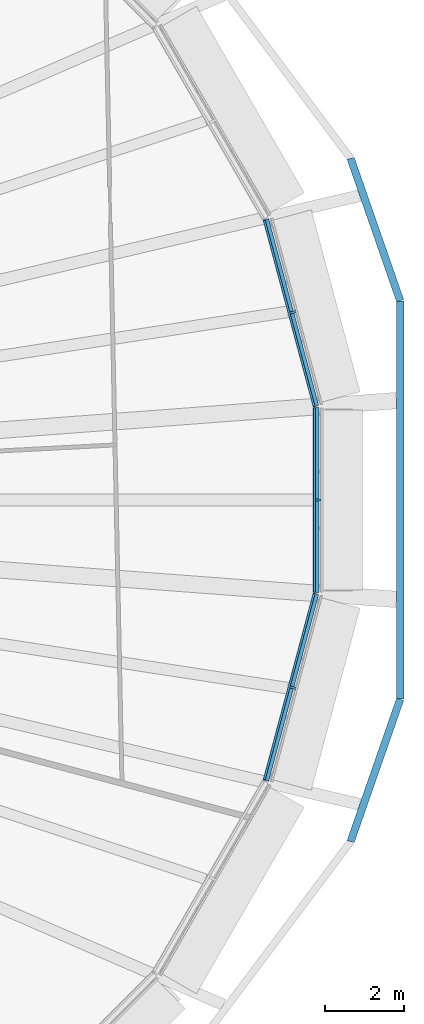
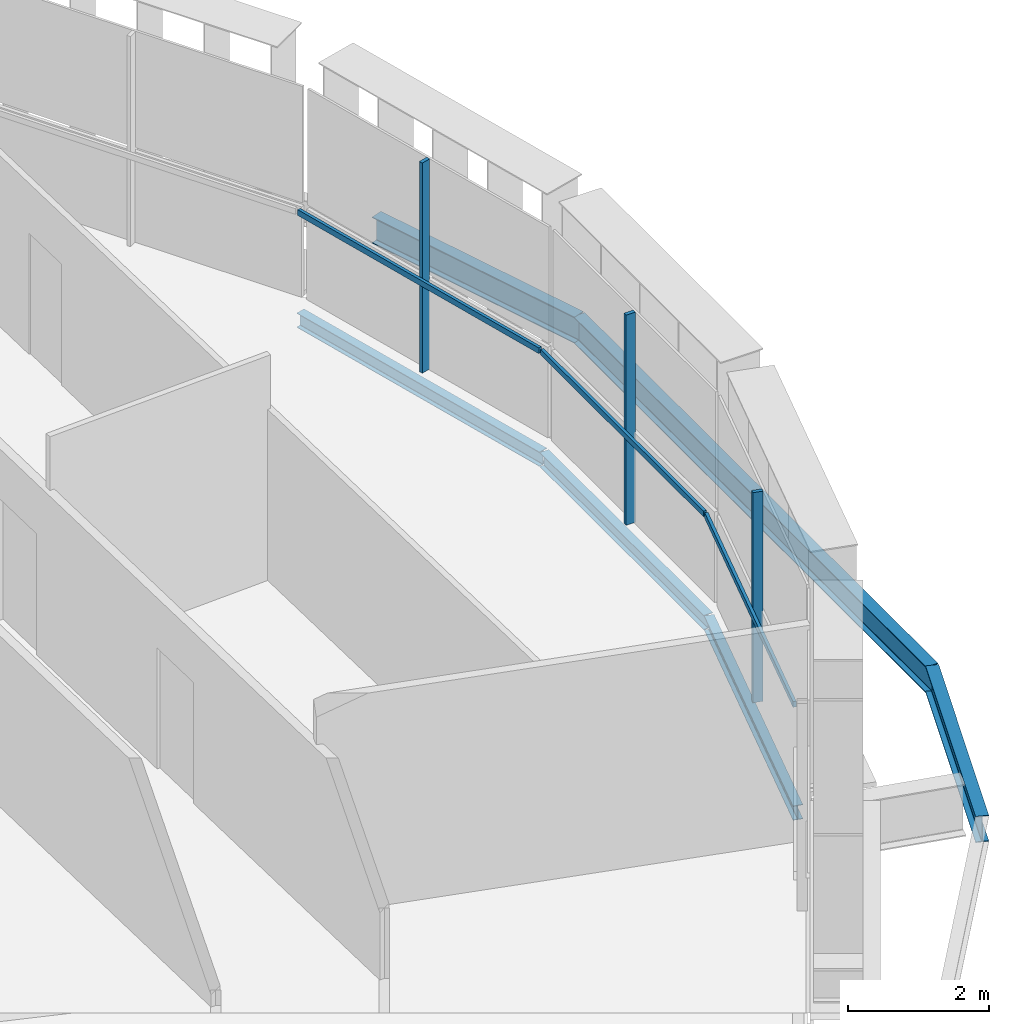
# One storey, part 12 of 26: 6 beams, 6 members, 3 elements without a shape of their own.
"""IFC4 building model written with IfcOpenShell, lengths in metres."""

from ifc_helpers import new_model, si_unit, direction, frame, origin, origin_2d, place, context, subcontext, project, spatial, rectangle, i_section, extrude, material, layer, layer_set, material_profile, profile_set, type_object, element, aggregate, save


model = new_model("IFC4")

# Units and contexts
model_context = context("Model", 3, precision=1e-05, world=origin(), true_north=direction((0.0, 1.0)))
body_context = subcontext(model_context, "Body", "Model", "MODEL_VIEW")
ifc_project = project(units=[si_unit("LENGTHUNIT", "METRE"), si_unit("AREAUNIT", "SQUARE_METRE"), si_unit("VOLUMEUNIT", "CUBIC_METRE"), si_unit("PLANEANGLEUNIT", "RADIAN"), si_unit("MASSUNIT", "GRAM", prefix="KILO")], contexts=[model_context])

# Site, building, storey
site_placement = place(None, origin())
site = spatial("IfcSite", under=ifc_project, at=site_placement, CompositionType="ELEMENT")
building_placement = place(site_placement, origin())
building = spatial("IfcBuilding", under=site, at=building_placement, Name="Sahrelin Media Tower", CompositionType="ELEMENT")
storey_placement = place(building_placement, frame((0.0, 0.0, 92.39990234375)))
storey = spatial("IfcBuildingStorey", under=building, at=storey_placement, Name="L17", CompositionType="ELEMENT", Elevation=92.39990234375)

# Beams
ifc_material_1 = material(Name="Steel S355", Category="steel")
ifc_material_profile_1 = material_profile(ifc_material_1, i_section(OverallWidth=0.14599609375, OverallDepth=0.25146484375, WebThickness=0.006103515625, FlangeThickness=0.008544921875, FilletRadius=0.007568359375, at=origin_2d()), Name="UB 254x146x31")
ifc_profile_set_1 = profile_set([ifc_material_profile_1], Name="Steel S355")
beam_type_1 = type_object("IfcBeamType", Name="Edge beam EB1", PredefinedType="BEAM", material=ifc_profile_set_1)
beam_1_placement = place(storey_placement, frame((31.561279296875, 2.33251953125, -0.275634765625), z_axis=(0.0, -1.0, 0.0), x_axis=(1.0, 0.0, 0.0)))
element("IfcBeam", 1, at=beam_1_placement, inside=storey, type_object=beam_type_1, Name="Edge beam L17-01", PredefinedType="BEAM", context=body_context, shape_type="SweptSolid", body=[
    extrude(i_section(OverallWidth=0.14599609375, OverallDepth=0.25146484375, WebThickness=0.006103515625, FlangeThickness=0.008544921875, FilletRadius=0.007568359375, at=origin_2d()), origin(), (0.0, 0.0, 1.0), 4.6650390625),
])
for number, where, z_axis, x_axis, name in (
    (2, (31.5576171875, -2.361083984375, -0.275634765625), (-0.258845236834, -0.965918807855, 0.0), (0.965918807855, -0.258845236834, 0.0), "Edge beam L17-02"),
    (3, (30.2939453125, 7.07666015625, -0.275634765625), (0.258845236834, -0.965918807855, 0.0), (0.965918807855, 0.258845236834, 0.0), "Edge beam L17-24"),
):
    element("IfcBeam", number, at=place(storey_placement, frame(where, z_axis=z_axis, x_axis=x_axis)), inside=storey, type_object=beam_type_1, Name=name, PredefinedType="BEAM", context=body_context, shape_type="SweptSolid", body=[
        extrude(i_section(OverallWidth=0.14599609375, OverallDepth=0.25146484375, WebThickness=0.006103515625, FlangeThickness=0.008544921875, FilletRadius=0.007568359375, at=origin_2d()), origin(), (0.0, 0.0, 1.0), 4.882080078125),
    ])

# Curtain wall, member
ifc_material_2 = material(Name="Champagne anodised aluminium 6063-T6", Category="aluminium")
ifc_layer = layer(ifc_material_2, 0.14990234375)
ifc_layer_set = layer_set([ifc_layer], Name="Tower ribbon curtain wall")
curtain_wall_type = type_object("IfcCurtainWallType", Name="Tower ribbon curtain wall", PredefinedType="NOTDEFINED", material=ifc_layer_set)
curtain_wall_1_placement = place(storey_placement, frame((31.711181640625, 0.0, 0.0), z_axis=(0.0, 0.0, 1.0), x_axis=(1.0, 0.0, 0.0)))
curtain_wall_1 = element("IfcCurtainWall", 4, at=curtain_wall_1_placement, inside=storey, type_object=curtain_wall_type, Name="L17:CW:L17-00", PredefinedType="NOTDEFINED")
ifc_material_profile_2 = material_profile(ifc_material_2, rectangle(XDim=0.06005859375, YDim=0.14990234375, at=origin_2d()), Name="Mullion 60x150")
ifc_profile_set_2 = profile_set([ifc_material_profile_2], Name="Champagne anodised aluminium 6063-T6")
member_type_1 = type_object("IfcMemberType", Name="Mullion 60x150 CW1", PredefinedType="MULLION", material=ifc_profile_set_2)
member_1_placement = place(storey_placement, frame((31.6162109375, 0.0, 0.0), z_axis=(0.0, 0.0, 1.0), x_axis=(0.0, 1.0, 0.0)))
member_1 = element("IfcMember", 5, at=member_1_placement, type_object=member_type_1, Name="L17:CWM:L17-00", PredefinedType="MULLION", context=body_context, shape_type="SweptSolid", body=[
    extrude(rectangle(XDim=0.06005859375, YDim=0.14990234375, at=origin_2d()), origin(), (0.0, 0.0, 1.0), 3.648681640625),
])

curtain_wall_2_placement = place(storey_placement, frame((31.07080078125, 4.757568359375, 0.0), z_axis=(0.0, 0.0, 1.0), x_axis=(1.0, 0.0, 0.0)))
curtain_wall_2 = element("IfcCurtainWall", 6, at=curtain_wall_2_placement, inside=storey, type_object=curtain_wall_type, Name="L17:CW:L17-01", PredefinedType="NOTDEFINED")
member_2_placement = place(storey_placement, frame((30.97900390625, 4.733154296875, 0.0), z_axis=(0.0, 0.0, 1.0), x_axis=(-0.258817359244, 0.965926278012, 0.0)))
member_2 = element("IfcMember", 7, at=member_2_placement, type_object=member_type_1, Name="L17:CWM:L17-01", PredefinedType="MULLION", context=body_context, shape_type="SweptSolid", body=[
    extrude(rectangle(XDim=0.06005859375, YDim=0.14990234375, at=origin_2d()), origin(), (0.0, 0.0, 1.0), 3.648681640625),
])

curtain_wall_3_placement = place(storey_placement, frame((31.07080078125, -4.757568359375, 0.0), z_axis=(0.0, 0.0, 1.0), x_axis=(1.0, 0.0, 0.0)))
curtain_wall_3 = element("IfcCurtainWall", 8, at=curtain_wall_3_placement, inside=storey, type_object=curtain_wall_type, Name="L17:CW:L17-23", PredefinedType="NOTDEFINED")
member_3_placement = place(storey_placement, frame((30.97900390625, -4.733154296875, 0.0), z_axis=(0.0, 0.0, 1.0), x_axis=(0.258817359244, 0.965926278012, 0.0)))
member_3 = element("IfcMember", 9, at=member_3_placement, type_object=member_type_1, Name="L17:CWM:L17-23", PredefinedType="MULLION", context=body_context, shape_type="SweptSolid", body=[
    extrude(rectangle(XDim=0.06005859375, YDim=0.14990234375, at=origin_2d()), origin(), (0.0, 0.0, 1.0), 3.648681640625),
])

# Beams
ifc_material_profile_3 = material_profile(ifc_material_1, i_section(OverallWidth=0.1904296875, OverallDepth=0.45703125, WebThickness=0.009033203125, FlangeThickness=0.014404296875, FilletRadius=0.01025390625, at=origin_2d()), Name="UB 457x191x74")
ifc_profile_set_3 = profile_set([ifc_material_profile_3], Name="Steel S355")
beam_type_2 = type_object("IfcBeamType", Name="Tie chord TC5", PredefinedType="BEAM", material=ifc_profile_set_3)
for number, where, z_axis, x_axis, name in (
    (10, (33.682861328125, 5.021484375, -0.37841796875), (-0.328791940532, 0.944402382378, 0.0), (-0.944402382378, -0.328791940532, 0.0), "Tie chord L17-01"),
    (11, (32.43212890625, -8.614013671875, -0.37841796875), (0.328791940532, 0.944402382378, 0.0), (-0.944402382378, 0.328791940532, 0.0), "Tie chord L17-23"),
):
    element("IfcBeam", number, at=place(storey_placement, frame(where, z_axis=z_axis, x_axis=x_axis)), inside=storey, type_object=beam_type_2, Name=name, PredefinedType="BEAM", context=body_context, shape_type="SweptSolid", body=[
        extrude(i_section(OverallWidth=0.1904296875, OverallDepth=0.45703125, WebThickness=0.009033203125, FlangeThickness=0.014404296875, FilletRadius=0.01025390625, at=origin_2d()), origin(), (0.0, 0.0, 1.0), 3.803955078125),
    ])
beam_2_placement = place(storey_placement, frame((33.682861328125, -5.021484375, -0.37841796875), z_axis=(0.0, 1.0, 0.0), x_axis=(-1.0, 0.0, 0.0)))
element("IfcBeam", 12, at=beam_2_placement, inside=storey, type_object=beam_type_2, Name="Tie chord L17-24", PredefinedType="BEAM", context=body_context, shape_type="SweptSolid", body=[
    extrude(i_section(OverallWidth=0.1904296875, OverallDepth=0.45703125, WebThickness=0.009033203125, FlangeThickness=0.014404296875, FilletRadius=0.01025390625, at=origin_2d()), origin(), (0.0, 0.0, 1.0), 10.04296875),
])

# Member
ifc_material_profile_4 = material_profile(ifc_material_2, rectangle(XDim=0.050048828125, YDim=0.10009765625, at=origin_2d()), Name="Transom 50x100")
ifc_profile_set_4 = profile_set([ifc_material_profile_4], Name="Champagne anodised aluminium 6063-T6")
member_type_2 = type_object("IfcMemberType", Name="Transom 50x100 CW1", PredefinedType="USERDEFINED", material=ifc_profile_set_4)
member_4_placement = place(storey_placement, frame((31.516357421875, -2.316650390625, 1.60009765625), z_axis=(0.0, 1.0, 0.0), x_axis=(-1.0, 0.0, 0.0)))
member_4 = element("IfcMember", 13, at=member_4_placement, type_object=member_type_2, Name="L17:CWT:L17-00", ObjectType="TRANSOM", PredefinedType="USERDEFINED", context=body_context, shape_type="SweptSolid", body=[
    extrude(rectangle(XDim=0.050048828125, YDim=0.10009765625, at=origin_2d()), origin(), (0.0, 0.0, 1.0), 4.63330078125),
])

aggregate(curtain_wall_1, [member_1, member_4])

member_5_placement = place(storey_placement, frame((31.510009765625, 2.364501953125, 1.60009765625), z_axis=(-0.258809044708, 0.965928505831, 0.0), x_axis=(-0.965928505831, -0.258809044708, 0.0)))
member_5 = element("IfcMember", 14, at=member_5_placement, type_object=member_type_2, Name="L17:CWT:L17-01", ObjectType="TRANSOM", PredefinedType="USERDEFINED", context=body_context, shape_type="SweptSolid", body=[
    extrude(rectangle(XDim=0.050048828125, YDim=0.10009765625, at=origin_2d()), origin(), (0.0, 0.0, 1.0), 4.8505859375),
])

aggregate(curtain_wall_2, [member_2, member_5])

member_6_placement = place(storey_placement, frame((30.254638671875, -7.0498046875, 1.60009765625), z_axis=(0.258809044708, 0.965928505831, 0.0), x_axis=(-0.965928505831, 0.258809044708, 0.0)))
member_6 = element("IfcMember", 15, at=member_6_placement, type_object=member_type_2, Name="L17:CWT:L17-23", ObjectType="TRANSOM", PredefinedType="USERDEFINED", context=body_context, shape_type="SweptSolid", body=[
    extrude(rectangle(XDim=0.050048828125, YDim=0.10009765625, at=origin_2d()), origin(), (0.0, 0.0, 1.0), 4.8505859375),
])

aggregate(curtain_wall_3, [member_3, member_6])

save(model, "model.ifc")
